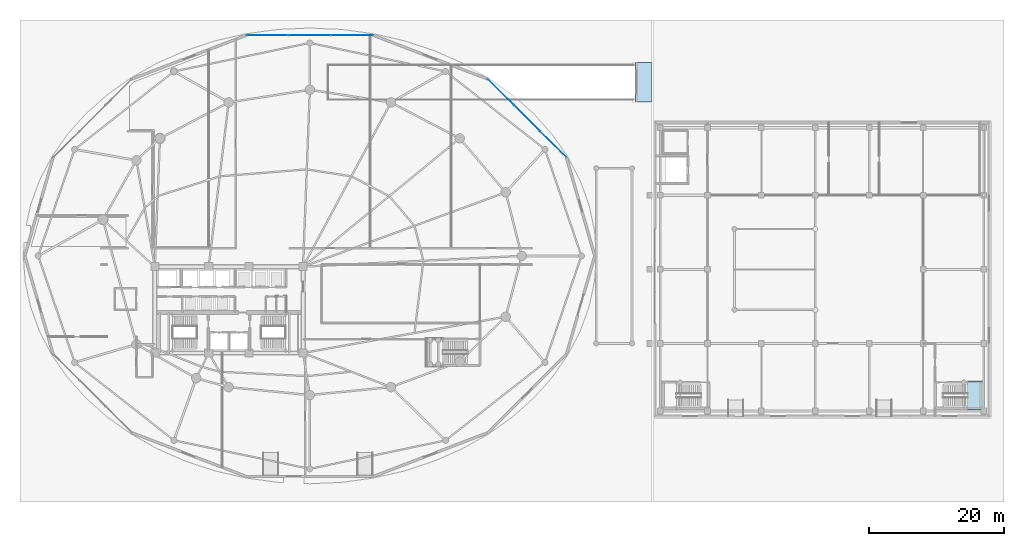
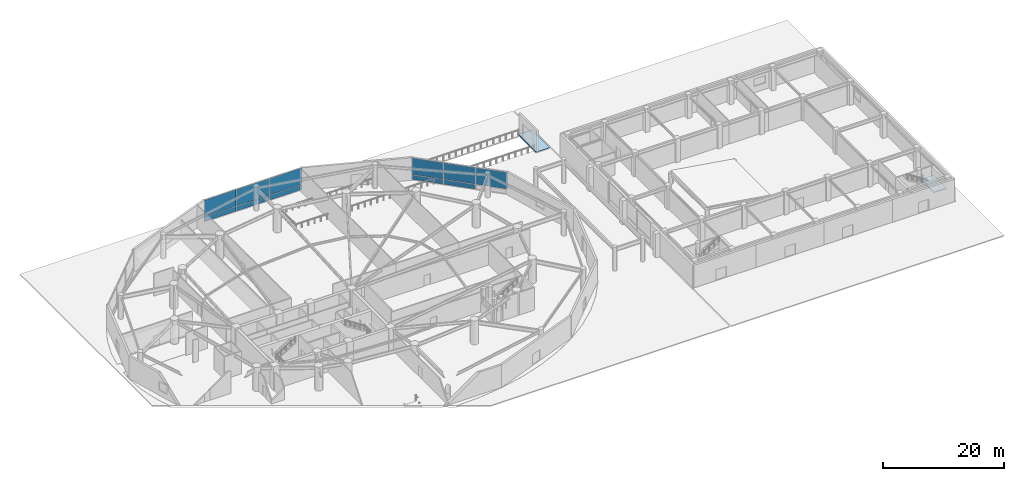
# One storey, part 20 of 35: 11 plates, 2 slabs, 3 elements without a shape of their own.
"""IFC4 building model written with IfcOpenShell, lengths in metres."""

from ifc_helpers import new_model, si_unit, direction, frame, origin, origin_2d, place, context, subcontext, project, spatial, polyline, rectangle, outline, extrude, material, layer, layer_set, type_object, element, aggregate, save


model = new_model("IFC4")

# Units and contexts
model_context = context("Model", 3, precision=1e-05, world=origin(), true_north=direction((0.0, 1.0)))
body_context = subcontext(model_context, "Body", "Model", "MODEL_VIEW")
ifc_project = project(units=[si_unit("LENGTHUNIT", "METRE"), si_unit("AREAUNIT", "SQUARE_METRE"), si_unit("VOLUMEUNIT", "CUBIC_METRE"), si_unit("PLANEANGLEUNIT", "RADIAN"), si_unit("MASSUNIT", "GRAM", prefix="KILO")], contexts=[model_context])

# Site, building, storey
site_placement = place(None, origin())
site = spatial("IfcSite", under=ifc_project, at=site_placement, CompositionType="ELEMENT")
building_placement = place(site_placement, origin())
building = spatial("IfcBuilding", under=site, at=building_placement, Name="Kazevale Care Tower and Concert Hall", CompositionType="ELEMENT")
storey_placement = place(building_placement, origin())
storey = spatial("IfcBuildingStorey", under=building, at=storey_placement, Name="L00", CompositionType="ELEMENT", Elevation=0.0)

# Curtain wall, plates
ifc_material_1 = material(Name="Aluminium 6063-T6 and Low-E Glass", Category="aluminium")
ifc_layer_1 = layer(ifc_material_1, 0.179931640625)
ifc_layer_set_1 = layer_set([ifc_layer_1], Name="Aluminium 6063-T6 and Low-E Glass")
curtain_wall_type = type_object("IfcCurtainWallType", Name="Podium Double-Skin Medical Curtain Wall CW-1", PredefinedType="NOTDEFINED", material=ifc_layer_set_1)
curtain_wall_1_placement = place(storey_placement, origin())
curtain_wall_1 = element("IfcCurtainWall", 1, at=curtain_wall_1_placement, inside=storey, type_object=curtain_wall_type, Name="cw:L00:pod:02", PredefinedType="NOTDEFINED")
ifc_material_2 = material(Name="Low-E Laminated Glass", Category="glass")
ifc_layer_2 = layer(ifc_material_2, 0.030029296875)
ifc_layer_set_2 = layer_set([ifc_layer_2], Name="Low-E Laminated Glass")
plate_type = type_object("IfcPlateType", Name="CW-1 Low-E Glazing Panel 30mm", PredefinedType="CURTAIN_PANEL", material=ifc_layer_set_2)
plate_1_placement = place(storey_placement, frame((81.121826171875, 54.533203125, 1.08984375), z_axis=(0.0, 0.0, 1.0), x_axis=(-0.708554776856, 0.705655814257, 0.0)))
plate_1 = element("IfcPlate", 2, at=plate_1_placement, type_object=plate_type, Name="CW-1 panel 1.2", PredefinedType="CURTAIN_PANEL", context=body_context, shape_type="SweptSolid", body=[
    extrude(rectangle(XDim=5.38427734375, YDim=0.030029296875, at=origin_2d()), origin(), (0.0, 0.0, 1.0), 3.35009765625),
])
plate_2_placement = place(storey_placement, frame((77.22705078125, 58.412109375, 0.080078125), z_axis=(0.0, 0.0, 1.0), x_axis=(-0.708554776856, 0.705655814257, 0.0)))
plate_2 = element("IfcPlate", 3, at=plate_2_placement, type_object=plate_type, Name="CW-1 panel 2.1", PredefinedType="CURTAIN_PANEL", context=body_context, shape_type="SweptSolid", body=[
    extrude(rectangle(XDim=5.42919921875, YDim=0.030029296875, at=origin_2d()), origin(), (0.0, 0.0, 1.0), 0.929931640625),
])
plate_3_placement = place(storey_placement, frame((77.22705078125, 58.412109375, 1.08984375), z_axis=(0.0, 0.0, 1.0), x_axis=(-0.708554776856, 0.705655814257, 0.0)))
plate_3 = element("IfcPlate", 4, at=plate_3_placement, type_object=plate_type, Name="CW-1 panel 2.2", PredefinedType="CURTAIN_PANEL", context=body_context, shape_type="SweptSolid", body=[
    extrude(rectangle(XDim=5.42919921875, YDim=0.030029296875, at=origin_2d()), origin(), (0.0, 0.0, 1.0), 3.35009765625),
])
plate_4_placement = place(storey_placement, frame((73.332275390625, 62.290771484375, 0.080078125), z_axis=(0.0, 0.0, 1.0), x_axis=(-0.708554776856, 0.705655814257, 0.0)))
plate_4 = element("IfcPlate", 5, at=plate_4_placement, type_object=plate_type, Name="CW-1 panel 3.1", PredefinedType="CURTAIN_PANEL", context=body_context, shape_type="SweptSolid", body=[
    extrude(rectangle(XDim=5.38427734375, YDim=0.030029296875, at=origin_2d()), origin(), (0.0, 0.0, 1.0), 0.929931640625),
])
plate_5_placement = place(storey_placement, frame((73.332275390625, 62.290771484375, 1.08984375), z_axis=(0.0, 0.0, 1.0), x_axis=(-0.708554776856, 0.705655814257, 0.0)))
plate_5 = element("IfcPlate", 6, at=plate_5_placement, type_object=plate_type, Name="CW-1 panel 3.2", PredefinedType="CURTAIN_PANEL", context=body_context, shape_type="SweptSolid", body=[
    extrude(rectangle(XDim=5.38427734375, YDim=0.030029296875, at=origin_2d()), origin(), (0.0, 0.0, 1.0), 3.35009765625),
])
aggregate(curtain_wall_1, [plate_1, plate_2, plate_3, plate_4, plate_5])

curtain_wall_2_placement = place(storey_placement, origin())
curtain_wall_2 = element("IfcCurtainWall", 7, at=curtain_wall_2_placement, inside=storey, type_object=curtain_wall_type, Name="cw:L00:pod:04", PredefinedType="NOTDEFINED")
plate_6_placement = place(storey_placement, frame((51.24951171875, 70.738037109375, 0.080078125), z_axis=(0.0, 0.0, 1.0), x_axis=(-1.0, 0.0, 0.0)))
plate_6 = element("IfcPlate", 8, at=plate_6_placement, type_object=plate_type, Name="CW-1 panel 1.1", PredefinedType="CURTAIN_PANEL", context=body_context, shape_type="SweptSolid", body=[
    extrude(rectangle(XDim=6.136962890625, YDim=0.030029296875, at=origin_2d()), origin(), (0.0, 0.0, 1.0), 0.929931640625),
])
plate_7_placement = place(storey_placement, frame((51.24951171875, 70.738037109375, 1.08984375), z_axis=(0.0, 0.0, 1.0), x_axis=(-1.0, 0.0, 0.0)))
plate_7 = element("IfcPlate", 9, at=plate_7_placement, type_object=plate_type, Name="CW-1 panel 1.2", PredefinedType="CURTAIN_PANEL", context=body_context, shape_type="SweptSolid", body=[
    extrude(rectangle(XDim=6.136962890625, YDim=0.030029296875, at=origin_2d()), origin(), (0.0, 0.0, 1.0), 3.35009765625),
])
plate_8_placement = place(storey_placement, frame((45.0, 70.738037109375, 0.080078125), z_axis=(0.0, 0.0, 1.0), x_axis=(-1.0, 0.0, 0.0)))
plate_8 = element("IfcPlate", 10, at=plate_8_placement, type_object=plate_type, Name="CW-1 panel 2.1", PredefinedType="CURTAIN_PANEL", context=body_context, shape_type="SweptSolid", body=[
    extrude(rectangle(XDim=6.181884765625, YDim=0.030029296875, at=origin_2d()), origin(), (0.0, 0.0, 1.0), 0.929931640625),
])
plate_9_placement = place(storey_placement, frame((45.0, 70.738037109375, 1.08984375), z_axis=(0.0, 0.0, 1.0), x_axis=(-1.0, 0.0, 0.0)))
plate_9 = element("IfcPlate", 11, at=plate_9_placement, type_object=plate_type, Name="CW-1 panel 2.2", PredefinedType="CURTAIN_PANEL", context=body_context, shape_type="SweptSolid", body=[
    extrude(rectangle(XDim=6.181884765625, YDim=0.030029296875, at=origin_2d()), origin(), (0.0, 0.0, 1.0), 3.35009765625),
])
plate_10_placement = place(storey_placement, frame((38.75048828125, 70.738037109375, 0.080078125), z_axis=(0.0, 0.0, 1.0), x_axis=(-1.0, 0.0, 0.0)))
plate_10 = element("IfcPlate", 12, at=plate_10_placement, type_object=plate_type, Name="CW-1 panel 3.1", PredefinedType="CURTAIN_PANEL", context=body_context, shape_type="SweptSolid", body=[
    extrude(rectangle(XDim=6.136962890625, YDim=0.030029296875, at=origin_2d()), origin(), (0.0, 0.0, 1.0), 0.929931640625),
])
plate_11_placement = place(storey_placement, frame((38.75048828125, 70.738037109375, 1.08984375), z_axis=(0.0, 0.0, 1.0), x_axis=(-1.0, 0.0, 0.0)))
plate_11 = element("IfcPlate", 13, at=plate_11_placement, type_object=plate_type, Name="CW-1 panel 3.2", PredefinedType="CURTAIN_PANEL", context=body_context, shape_type="SweptSolid", body=[
    extrude(rectangle(XDim=6.136962890625, YDim=0.030029296875, at=origin_2d()), origin(), (0.0, 0.0, 1.0), 3.35009765625),
])
aggregate(curtain_wall_2, [plate_6, plate_7, plate_8, plate_9, plate_10, plate_11])

# Slab
ifc_material_3 = material(Name="Concrete C40", Category="concrete")
ifc_layer_3 = layer(ifc_material_3, 0.280029296875)
ifc_layer_set_3 = layer_set([ifc_layer_3], Name="Concrete C40")
slab_type_1 = type_object("IfcSlabType", Name="Podium Clinic Floor Slab 280", PredefinedType="FLOOR", material=ifc_layer_set_3)
slab_1_placement = place(storey_placement, frame((0.0, 0.0, -0.280029296875)))
element("IfcSlab", 14, at=slab_1_placement, inside=storey, type_object=slab_type_1, Name="slab:L00:rmp_landing", PredefinedType="FLOOR", context=body_context, shape_type="SweptSolid", body=[
    extrude(outline(polyline([(93.219970703125, 60.800048828125), (95.780029296875, 60.800048828125), (95.780029296875, 66.699951171875), (93.219970703125, 66.699951171875), (93.219970703125, 60.800048828125)])), origin(), (0.0, 0.0, 1.0), 0.280029296875),
])

# Stair, slab
stair_type = type_object("IfcStairType", Name="Exit Stair Assembly ST4-H", PredefinedType="HALF_TURN_STAIR", material=ifc_material_3)
stair_placement = place(storey_placement, origin())
stair = element("IfcStair", 15, at=stair_placement, inside=storey, type_object=stair_type, Name="stair:L00:ST5", PredefinedType="HALF_TURN_STAIR")
ifc_layer_4 = layer(ifc_material_3, 0.199951171875)
ifc_layer_set_4 = layer_set([ifc_layer_4], Name="Concrete C40")
slab_type_2 = type_object("IfcSlabType", Name="Stair Half-Landing Slab ST4-H", PredefinedType="LANDING", material=ifc_layer_set_4)
slab_2_placement = place(storey_placement, frame((0.0, 0.0, 2.199951171875)))
slab_2 = element("IfcSlab", 16, at=slab_2_placement, type_object=slab_type_2, Name="ST4-H landing 1", PredefinedType="LANDING", context=body_context, shape_type="SweptSolid", body=[
    extrude(outline(polyline([(142.510009765625, 15.10009765625), (144.949951171875, 15.10009765625), (144.949951171875, 19.39990234375), (142.510009765625, 19.39990234375), (142.510009765625, 15.10009765625)])), origin(), (0.0, 0.0, 1.0), 0.199951171875),
])
aggregate(stair, [slab_2])

save(model, "model.ifc")
